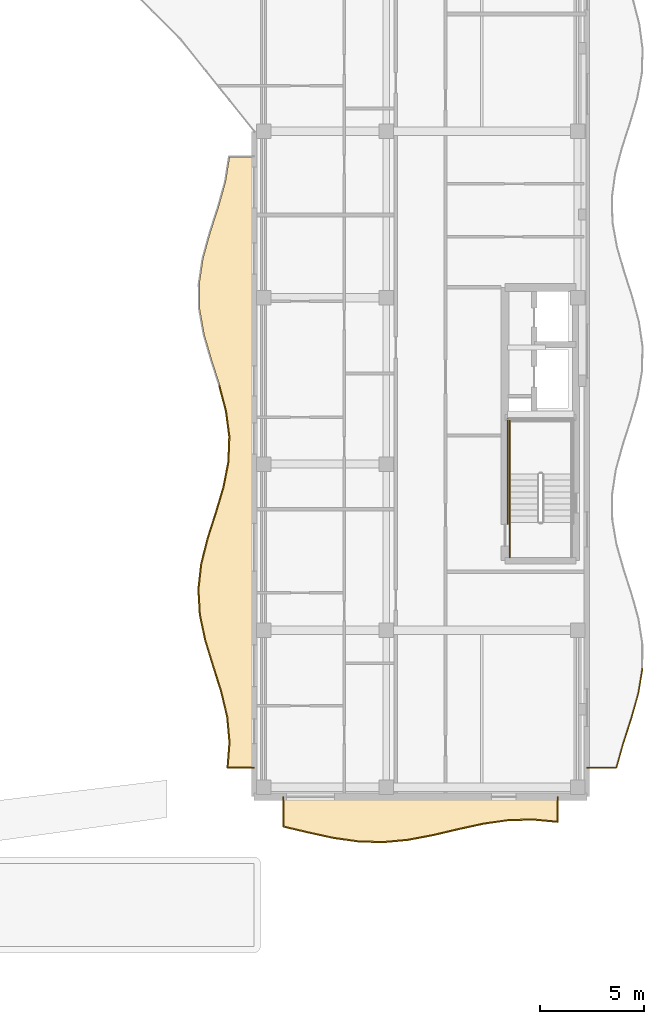
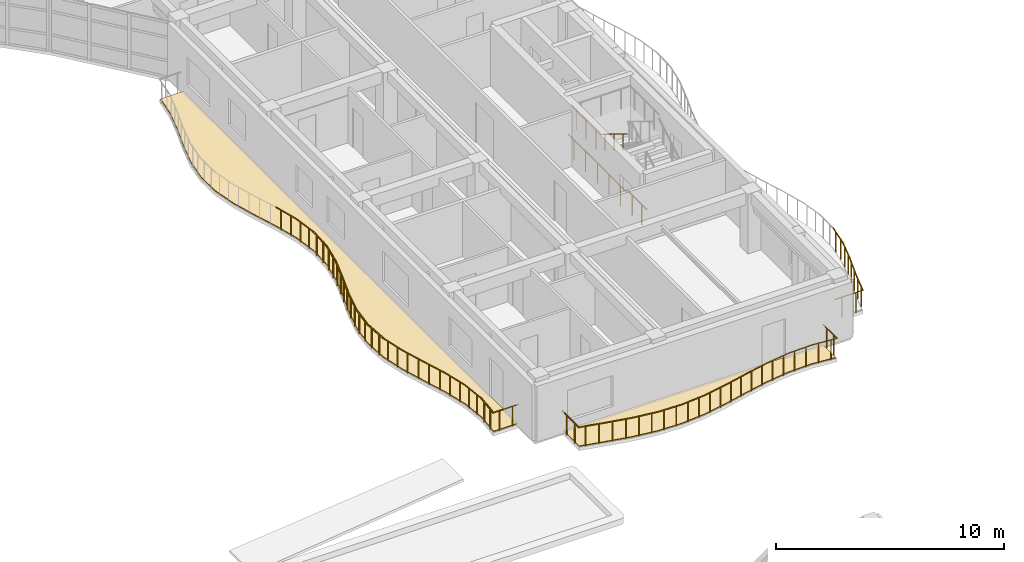
# One storey, part 123 of 128: 38 railings, 2 coverings.
"""IFC4 building model written with IfcOpenShell, lengths in metres."""

from ifc_helpers import new_model, si_unit, direction, frame, origin, origin_2d, place, context, subcontext, project, spatial, polyline, circle, outline, extrude, material, layer, layer_set, type_object, element, save


model = new_model("IFC4")

# Units and contexts
model_context = context("Model", 3, precision=1e-05, world=origin(), true_north=direction((0.0, 1.0)))
body_context = subcontext(model_context, "Body", "Model", "MODEL_VIEW")
ifc_project = project(units=[si_unit("LENGTHUNIT", "METRE"), si_unit("AREAUNIT", "SQUARE_METRE"), si_unit("VOLUMEUNIT", "CUBIC_METRE"), si_unit("PLANEANGLEUNIT", "RADIAN"), si_unit("MASSUNIT", "GRAM", prefix="KILO")], contexts=[model_context])

# Site, building, storey
site_placement = place(None, origin())
site = spatial("IfcSite", under=ifc_project, at=site_placement, CompositionType="ELEMENT")
building_placement = place(site_placement, origin())
building = spatial("IfcBuilding", under=site, at=building_placement, Name="Keldmere Railside Commons", CompositionType="ELEMENT")
storey_placement = place(building_placement, frame((0.0, 0.0, 4.159912109375)))
storey = spatial("IfcBuildingStorey", under=building, at=storey_placement, Name="L01", CompositionType="ELEMENT", Elevation=4.159912109375)

# Railings
ifc_material_1 = material(Name="Steel F-24 (S235)", Category="steel")
railing_type_1 = type_object("IfcRailingType", Name="Balcony & Terrace Steel Balustrade 1100", PredefinedType="BALUSTRADE", material=ifc_material_1)
railing_1_placement = place(storey_placement, frame((168.0, 57.39990234375, 0.0)))
element("IfcRailing", 1, at=railing_1_placement, inside=storey, type_object=railing_type_1, Name="GR-1 GRD-L01-3187", PredefinedType="BALUSTRADE", context=body_context, shape_type="SweptSolid", body=[
    extrude(circle(Radius=0.02392578125, at=origin_2d()), frame((0.0, 0.0, 1.076171875), z_axis=(-1.0, 0.0, 0.0), x_axis=(0.0, -1.0, 0.0)), (0.0, 0.0, 1.0), 1.29638671875),
    extrude(circle(Radius=0.02099609375, at=origin_2d()), frame((-0.32421875, 0.0, 0.0)), (0.0, 0.0, 1.0), 1.048095703125),
    extrude(circle(Radius=0.02099609375, at=origin_2d()), frame((-0.97216796875, 0.0, 0.0)), (0.0, 0.0, 1.0), 1.048095703125),
])
railing_2_placement = place(storey_placement, frame((166.70361328125, 57.39990234375, 0.0)))
element("IfcRailing", 2, at=railing_2_placement, inside=storey, type_object=railing_type_1, Name="GR-1 GRD-L01-3188", PredefinedType="BALUSTRADE", context=body_context, shape_type="SweptSolid", body=[
    extrude(circle(Radius=0.02392578125, at=origin_2d()), frame((0.0, 0.0, 1.076171875), z_axis=(0.078276422335, 0.996931693601, 0.0), x_axis=(-0.996931693601, 0.078276422335, 0.0)), (0.0, 0.0, 1.0), 1.228759765625),
    extrude(circle(Radius=0.02099609375, at=origin_2d()), frame((0.02392578125, 0.30615234375, 0.0)), (0.0, 0.0, 1.0), 1.048095703125),
    extrude(circle(Radius=0.02099609375, at=origin_2d()), frame((0.072265625, 0.9189453125, 0.0)), (0.0, 0.0, 1.0), 1.048095703125),
])
railing_3_placement = place(storey_placement, frame((166.7998046875, 58.625, 0.0)))
element("IfcRailing", 3, at=railing_3_placement, inside=storey, type_object=railing_type_1, Name="GR-1 GRD-L01-3189", PredefinedType="BALUSTRADE", context=body_context, shape_type="SweptSolid", body=[
    extrude(circle(Radius=0.02392578125, at=origin_2d()), frame((0.0, 0.0, 1.076171875), z_axis=(-0.091877571522, 0.99577031079, 0.0), x_axis=(-0.99577031079, -0.091877571522, 0.0)), (0.0, 0.0, 1.0), 1.230224609375),
    extrude(circle(Radius=0.02099609375, at=origin_2d()), frame((-0.0283203125, 0.30615234375, 0.0)), (0.0, 0.0, 1.0), 1.048095703125),
    extrude(circle(Radius=0.02099609375, at=origin_2d()), frame((-0.084716796875, 0.9189453125, 0.0)), (0.0, 0.0, 1.0), 1.048095703125),
])
railing_4_placement = place(storey_placement, frame((166.686767578125, 59.85009765625, 0.0)))
element("IfcRailing", 4, at=railing_4_placement, inside=storey, type_object=railing_type_1, Name="GR-1 GRD-L01-3190", PredefinedType="BALUSTRADE", context=body_context, shape_type="SweptSolid", body=[
    extrude(circle(Radius=0.02392578125, at=origin_2d()), frame((0.0, 0.0, 1.076171875), z_axis=(-0.230973756596, 0.972959980556, 0.0), x_axis=(-0.972959980556, -0.230973756596, 0.0)), (0.0, 0.0, 1.0), 1.2587890625),
    extrude(circle(Radius=0.02099609375, at=origin_2d()), frame((-0.07275390625, 0.30615234375, 0.0)), (0.0, 0.0, 1.0), 1.048095703125),
    extrude(circle(Radius=0.02099609375, at=origin_2d()), frame((-0.218017578125, 0.918701171875, 0.0)), (0.0, 0.0, 1.0), 1.048095703125),
])
railing_5_placement = place(storey_placement, frame((166.39599609375, 61.074951171875, 0.0)))
element("IfcRailing", 5, at=railing_5_placement, inside=storey, type_object=railing_type_1, Name="GR-1 GRD-L01-3191", PredefinedType="BALUSTRADE", context=body_context, shape_type="SweptSolid", body=[
    extrude(circle(Radius=0.02392578125, at=origin_2d()), frame((0.0, 0.0, 1.076171875), z_axis=(-0.301367803668, 0.953507968982, 0.0), x_axis=(-0.953507968982, -0.301367803668, 0.0)), (0.0, 0.0, 1.0), 1.284912109375),
    extrude(circle(Radius=0.02099609375, at=origin_2d()), frame((-0.0966796875, 0.30615234375, 0.0)), (0.0, 0.0, 1.0), 1.048095703125),
    extrude(circle(Radius=0.02099609375, at=origin_2d()), frame((-0.29052734375, 0.9189453125, 0.0)), (0.0, 0.0, 1.0), 1.048095703125),
])
railing_6_placement = place(storey_placement, frame((166.0087890625, 62.300048828125, 0.0)))
element("IfcRailing", 6, at=railing_6_placement, inside=storey, type_object=railing_type_1, Name="GR-1 GRD-L01-3192", PredefinedType="BALUSTRADE", context=body_context, shape_type="SweptSolid", body=[
    extrude(circle(Radius=0.02392578125, at=origin_2d()), frame((0.0, 0.0, 1.076171875), z_axis=(-0.293268916719, 0.95602999037, 0.0), x_axis=(-0.95602999037, -0.293268916719, 0.0)), (0.0, 0.0, 1.0), 1.28125),
    extrude(circle(Radius=0.02099609375, at=origin_2d()), frame((-0.093994140625, 0.30615234375, 0.0)), (0.0, 0.0, 1.0), 1.048095703125),
    extrude(circle(Radius=0.02099609375, at=origin_2d()), frame((-0.28173828125, 0.918701171875, 0.0)), (0.0, 0.0, 1.0), 1.048095703125),
])
railing_7_placement = place(storey_placement, frame((165.633056640625, 63.52490234375, 0.0)))
element("IfcRailing", 7, at=railing_7_placement, inside=storey, type_object=railing_type_1, Name="GR-1 GRD-L01-3193", PredefinedType="BALUSTRADE", context=body_context, shape_type="SweptSolid", body=[
    extrude(circle(Radius=0.02392578125, at=origin_2d()), frame((0.0, 0.0, 1.076171875), z_axis=(-0.207051896826, 0.978329960709, 0.0), x_axis=(-0.978329960709, -0.207051896826, 0.0)), (0.0, 0.0, 1.0), 1.252197265625),
    extrude(circle(Radius=0.02099609375, at=origin_2d()), frame((-0.06494140625, 0.30615234375, 0.0)), (0.0, 0.0, 1.0), 1.048095703125),
    extrude(circle(Radius=0.02099609375, at=origin_2d()), frame((-0.1943359375, 0.9189453125, 0.0)), (0.0, 0.0, 1.0), 1.048095703125),
])
railing_8_placement = place(storey_placement, frame((165.373779296875, 64.75, 0.0)))
element("IfcRailing", 8, at=railing_8_placement, inside=storey, type_object=railing_type_1, Name="GR-1 GRD-L01-3194", PredefinedType="BALUSTRADE", context=body_context, shape_type="SweptSolid", body=[
    extrude(circle(Radius=0.02392578125, at=origin_2d()), frame((0.0, 0.0, 1.076171875), z_axis=(-0.057695680128, 0.998334216831, 0.0), x_axis=(-0.998334216831, -0.057695680128, 0.0)), (0.0, 0.0, 1.0), 1.22705078125),
    extrude(circle(Radius=0.02099609375, at=origin_2d()), frame((-0.017578125, 0.30615234375, 0.0)), (0.0, 0.0, 1.0), 1.048095703125),
    extrude(circle(Radius=0.02099609375, at=origin_2d()), frame((-0.05322265625, 0.9189453125, 0.0)), (0.0, 0.0, 1.0), 1.048095703125),
])
railing_9_placement = place(storey_placement, frame((165.302978515625, 65.97509765625, 0.0)))
element("IfcRailing", 9, at=railing_9_placement, inside=storey, type_object=railing_type_1, Name="GR-1 GRD-L01-3195", PredefinedType="BALUSTRADE", context=body_context, shape_type="SweptSolid", body=[
    extrude(circle(Radius=0.02392578125, at=origin_2d()), frame((0.0, 0.0, 1.076171875), z_axis=(0.111518478947, 0.993762360352, 0.0), x_axis=(-0.993762360352, 0.111518478947, 0.0)), (0.0, 0.0, 1.0), 1.232421875),
    extrude(circle(Radius=0.02099609375, at=origin_2d()), frame((0.034423828125, 0.30615234375, 0.0)), (0.0, 0.0, 1.0), 1.048095703125),
    extrude(circle(Radius=0.02099609375, at=origin_2d()), frame((0.10302734375, 0.918701171875, 0.0)), (0.0, 0.0, 1.0), 1.048095703125),
])
railing_10_placement = place(storey_placement, frame((165.4404296875, 67.199951171875, 0.0)))
element("IfcRailing", 10, at=railing_10_placement, inside=storey, type_object=railing_type_1, Name="GR-1 GRD-L01-3196", PredefinedType="BALUSTRADE", context=body_context, shape_type="SweptSolid", body=[
    extrude(circle(Radius=0.02392578125, at=origin_2d()), frame((0.0, 0.0, 1.076171875), z_axis=(0.243536017509, 0.969891853856, 0.0), x_axis=(-0.969891853856, 0.243536017509, 0.0)), (0.0, 0.0, 1.0), 1.26318359375),
    extrude(circle(Radius=0.02099609375, at=origin_2d()), frame((0.076904296875, 0.30615234375, 0.0)), (0.0, 0.0, 1.0), 1.048095703125),
    extrude(circle(Radius=0.02099609375, at=origin_2d()), frame((0.230712890625, 0.9189453125, 0.0)), (0.0, 0.0, 1.0), 1.048095703125),
])
railing_11_placement = place(storey_placement, frame((165.748046875, 68.425048828125, 0.0)))
element("IfcRailing", 11, at=railing_11_placement, inside=storey, type_object=railing_type_1, Name="GR-1 GRD-L01-3197", PredefinedType="BALUSTRADE", context=body_context, shape_type="SweptSolid", body=[
    extrude(circle(Radius=0.02392578125, at=origin_2d()), frame((0.0, 0.0, 1.076171875), z_axis=(0.304699953778, 0.952448391341, 0.0), x_axis=(-0.952448391341, 0.304699953778, 0.0)), (0.0, 0.0, 1.0), 1.285888671875),
    extrude(circle(Radius=0.02099609375, at=origin_2d()), frame((0.097900390625, 0.30615234375, 0.0)), (0.0, 0.0, 1.0), 1.048095703125),
    extrude(circle(Radius=0.02099609375, at=origin_2d()), frame((0.2939453125, 0.918701171875, 0.0)), (0.0, 0.0, 1.0), 1.048095703125),
])
railing_12_placement = place(storey_placement, frame((166.139892578125, 69.64990234375, 0.0)))
element("IfcRailing", 12, at=railing_12_placement, inside=storey, type_object=railing_type_1, Name="GR-1 GRD-L01-3198", PredefinedType="BALUSTRADE", context=body_context, shape_type="SweptSolid", body=[
    extrude(circle(Radius=0.02392578125, at=origin_2d()), frame((0.0, 0.0, 1.076171875), z_axis=(0.28692752056, 0.957952294191, 0.0), x_axis=(-0.957952294191, 0.28692752056, 0.0)), (0.0, 0.0, 1.0), 1.27880859375),
    extrude(circle(Radius=0.02099609375, at=origin_2d()), frame((0.091796875, 0.30615234375, 0.0)), (0.0, 0.0, 1.0), 1.048095703125),
    extrude(circle(Radius=0.02099609375, at=origin_2d()), frame((0.275146484375, 0.9189453125, 0.0)), (0.0, 0.0, 1.0), 1.048095703125),
])
railing_13_placement = place(storey_placement, frame((166.5068359375, 70.875, 0.0)))
element("IfcRailing", 13, at=railing_13_placement, inside=storey, type_object=railing_type_1, Name="GR-1 GRD-L01-3199", PredefinedType="BALUSTRADE", context=body_context, shape_type="SweptSolid", body=[
    extrude(circle(Radius=0.02392578125, at=origin_2d()), frame((0.0, 0.0, 1.076171875), z_axis=(0.191675793499, 0.981458297732, 0.0), x_axis=(-0.981458297732, 0.191675793499, 0.0)), (0.0, 0.0, 1.0), 1.248291015625),
    extrude(circle(Radius=0.02099609375, at=origin_2d()), frame((0.059814453125, 0.30615234375, 0.0)), (0.0, 0.0, 1.0), 1.048095703125),
    extrude(circle(Radius=0.02099609375, at=origin_2d()), frame((0.179443359375, 0.9189453125, 0.0)), (0.0, 0.0, 1.0), 1.048095703125),
])
railing_14_placement = place(storey_placement, frame((166.74609375, 72.10009765625, 0.0)))
element("IfcRailing", 14, at=railing_14_placement, inside=storey, type_object=railing_type_1, Name="GR-1 GRD-L01-3200", PredefinedType="BALUSTRADE", context=body_context, shape_type="SweptSolid", body=[
    extrude(circle(Radius=0.02392578125, at=origin_2d()), frame((0.0, 0.0, 1.076171875), z_axis=(0.036849581892, 0.999320823517, 0.0), x_axis=(-0.999320823517, 0.036849581892, 0.0)), (0.0, 0.0, 1.0), 1.2255859375),
    extrude(circle(Radius=0.02099609375, at=origin_2d()), frame((0.01123046875, 0.30615234375, 0.0)), (0.0, 0.0, 1.0), 1.048095703125),
    extrude(circle(Radius=0.02099609375, at=origin_2d()), frame((0.033935546875, 0.918701171875, 0.0)), (0.0, 0.0, 1.0), 1.048095703125),
])
railing_15_placement = place(storey_placement, frame((166.791259765625, 73.324951171875, 0.0)))
element("IfcRailing", 15, at=railing_15_placement, inside=storey, type_object=railing_type_1, Name="GR-1 GRD-L01-3201", PredefinedType="BALUSTRADE", context=body_context, shape_type="SweptSolid", body=[
    extrude(circle(Radius=0.02392578125, at=origin_2d()), frame((0.0, 0.0, 1.076171875), z_axis=(-0.130791814318, 0.991409855361, 0.0), x_axis=(-0.991409855361, -0.130791814318, 0.0)), (0.0, 0.0, 1.0), 1.235595703125),
    extrude(circle(Radius=0.02099609375, at=origin_2d()), frame((-0.04052734375, 0.30615234375, 0.0)), (0.0, 0.0, 1.0), 1.048095703125),
    extrude(circle(Radius=0.02099609375, at=origin_2d()), frame((-0.12109375, 0.9189453125, 0.0)), (0.0, 0.0, 1.0), 1.048095703125),
])
railing_16_placement = place(storey_placement, frame((166.629638671875, 74.550048828125, 0.0)))
element("IfcRailing", 16, at=railing_16_placement, inside=storey, type_object=railing_type_1, Name="GR-1 GRD-L01-3202", PredefinedType="BALUSTRADE", context=body_context, shape_type="SweptSolid", body=[
    extrude(circle(Radius=0.02392578125, at=origin_2d()), frame((0.0, 0.0, 1.076171875), z_axis=(-0.255166773508, 0.966897056412, 0.0), x_axis=(-0.966897056412, -0.255166773508, 0.0)), (0.0, 0.0, 1.0), 1.266845703125),
    extrude(circle(Radius=0.02099609375, at=origin_2d()), frame((-0.080810546875, 0.30615234375, 0.0)), (0.0, 0.0, 1.0), 1.048095703125),
    extrude(circle(Radius=0.02099609375, at=origin_2d()), frame((-0.242431640625, 0.918701171875, 0.0)), (0.0, 0.0, 1.0), 1.048095703125),
])
railing_17_placement = place(storey_placement, frame((184.0, 57.39990234375, 0.0)))
element("IfcRailing", 17, at=railing_17_placement, inside=storey, type_object=railing_type_1, Name="GR-1 GRD-L01-3213", PredefinedType="BALUSTRADE", context=body_context, shape_type="SweptSolid", body=[
    extrude(circle(Radius=0.02392578125, at=origin_2d()), frame((0.0, 0.0, 1.076171875), z_axis=(1.0, 0.0, 0.0), x_axis=(0.0, 1.0, 0.0)), (0.0, 0.0, 1.0), 1.4208984375),
    extrude(circle(Radius=0.02099609375, at=origin_2d()), frame((0.355224609375, 0.0, 0.0)), (0.0, 0.0, 1.0), 1.048095703125),
    extrude(circle(Radius=0.02099609375, at=origin_2d()), frame((1.065673828125, 0.0, 0.0)), (0.0, 0.0, 1.0), 1.048095703125),
])
railing_18_placement = place(storey_placement, frame((185.4208984375, 57.39990234375, 0.0)))
element("IfcRailing", 18, at=railing_18_placement, inside=storey, type_object=railing_type_1, Name="GR-1 GRD-L01-3214", PredefinedType="BALUSTRADE", context=body_context, shape_type="SweptSolid", body=[
    extrude(circle(Radius=0.02392578125, at=origin_2d()), frame((0.0, 0.0, 1.076171875), z_axis=(0.269820133926, 0.962910741101, 0.0), x_axis=(-0.962910741101, 0.269820133926, 0.0)), (0.0, 0.0, 1.0), 1.23779296875),
    extrude(circle(Radius=0.02099609375, at=origin_2d()), frame((0.08349609375, 0.2978515625, 0.0)), (0.0, 0.0, 1.0), 1.048095703125),
    extrude(circle(Radius=0.02099609375, at=origin_2d()), frame((0.25048828125, 0.89404296875, 0.0)), (0.0, 0.0, 1.0), 1.048095703125),
])
railing_19_placement = place(storey_placement, frame((185.7548828125, 58.591796875, 0.0)))
element("IfcRailing", 19, at=railing_19_placement, inside=storey, type_object=railing_type_1, Name="GR-1 GRD-L01-3215", PredefinedType="BALUSTRADE", context=body_context, shape_type="SweptSolid", body=[
    extrude(circle(Radius=0.02392578125, at=origin_2d()), frame((0.0, 0.0, 1.076171875), z_axis=(0.307851430966, 0.95143444149, 0.0), x_axis=(-0.95143444149, 0.307851430966, 0.0)), (0.0, 0.0, 1.0), 1.252197265625),
    extrude(circle(Radius=0.02099609375, at=origin_2d()), frame((0.096435546875, 0.2978515625, 0.0)), (0.0, 0.0, 1.0), 1.048095703125),
    extrude(circle(Radius=0.02099609375, at=origin_2d()), frame((0.2890625, 0.8935546875, 0.0)), (0.0, 0.0, 1.0), 1.048095703125),
])
railing_20_placement = place(storey_placement, frame((186.140380859375, 59.783203125, 0.0)))
element("IfcRailing", 20, at=railing_20_placement, inside=storey, type_object=railing_type_1, Name="GR-1 GRD-L01-3216", PredefinedType="BALUSTRADE", context=body_context, shape_type="SweptSolid", body=[
    extrude(circle(Radius=0.02392578125, at=origin_2d()), frame((0.0, 0.0, 1.076171875), z_axis=(0.270734156265, 0.962654152139, 0.0), x_axis=(-0.962654152139, 0.270734156265, 0.0)), (0.0, 0.0, 1.0), 1.238037109375),
    extrude(circle(Radius=0.02099609375, at=origin_2d()), frame((0.083740234375, 0.2978515625, 0.0)), (0.0, 0.0, 1.0), 1.048095703125),
    extrude(circle(Radius=0.02099609375, at=origin_2d()), frame((0.25146484375, 0.89404296875, 0.0)), (0.0, 0.0, 1.0), 1.048095703125),
])
railing_21_placement = place(storey_placement, frame((186.4755859375, 60.97509765625, 0.0)))
element("IfcRailing", 21, at=railing_21_placement, inside=storey, type_object=railing_type_1, Name="GR-1 GRD-L01-3217", PredefinedType="BALUSTRADE", context=body_context, shape_type="SweptSolid", body=[
    extrude(circle(Radius=0.02392578125, at=origin_2d()), frame((0.0, 0.0, 1.076171875), z_axis=(0.162726955037, 0.986671139795, 0.0), x_axis=(-0.986671139795, 0.162726955037, 0.0)), (0.0, 0.0, 1.0), 1.207763671875),
    extrude(circle(Radius=0.02099609375, at=origin_2d()), frame((0.049072265625, 0.2978515625, 0.0)), (0.0, 0.0, 1.0), 1.048095703125),
    extrude(circle(Radius=0.02099609375, at=origin_2d()), frame((0.1474609375, 0.893798828125, 0.0)), (0.0, 0.0, 1.0), 1.048095703125),
])
railing_22_placement = place(storey_placement, frame((169.39990234375, 56.0, 0.0)))
element("IfcRailing", 22, at=railing_22_placement, inside=storey, type_object=railing_type_1, Name="GR-1 GRD-L01-3276", PredefinedType="BALUSTRADE", context=body_context, shape_type="SweptSolid", body=[
    extrude(circle(Radius=0.02392578125, at=origin_2d()), frame((0.0, 0.0, 1.076171875), z_axis=(0.0, -1.0, 0.0), x_axis=(1.0, 0.0, 0.0)), (0.0, 0.0, 1.0), 1.4443359375),
    extrude(circle(Radius=0.02099609375, at=origin_2d()), frame((0.0, -0.361083984375, 0.0)), (0.0, 0.0, 1.0), 1.048095703125),
    extrude(circle(Radius=0.02099609375, at=origin_2d()), frame((0.0, -1.083251953125, 0.0)), (0.0, 0.0, 1.0), 1.048095703125),
])
railing_23_placement = place(storey_placement, frame((169.39990234375, 54.5556640625, 0.0)))
element("IfcRailing", 23, at=railing_23_placement, inside=storey, type_object=railing_type_1, Name="GR-1 GRD-L01-3277", PredefinedType="BALUSTRADE", context=body_context, shape_type="SweptSolid", body=[
    extrude(circle(Radius=0.02392578125, at=origin_2d()), frame((0.0, 0.0, 1.076171875), z_axis=(0.973360010655, -0.229282118051, 0.0), x_axis=(0.229282118051, 0.973360010655, 0.0)), (0.0, 0.0, 1.0), 1.233154296875),
    extrude(circle(Radius=0.02099609375, at=origin_2d()), frame((0.300048828125, -0.07080078125, 0.0)), (0.0, 0.0, 1.0), 1.048095703125),
    extrude(circle(Radius=0.02099609375, at=origin_2d()), frame((0.900146484375, -0.2119140625, 0.0)), (0.0, 0.0, 1.0), 1.048095703125),
])
railing_24_placement = place(storey_placement, frame((170.60009765625, 54.27294921875, 0.0)))
element("IfcRailing", 24, at=railing_24_placement, inside=storey, type_object=railing_type_1, Name="GR-1 GRD-L01-3278", PredefinedType="BALUSTRADE", context=body_context, shape_type="SweptSolid", body=[
    extrude(circle(Radius=0.02392578125, at=origin_2d()), frame((0.0, 0.0, 1.076171875), z_axis=(0.976989409241, -0.213287820166, 0.0), x_axis=(0.213287820166, 0.976989409241, 0.0)), (0.0, 0.0, 1.0), 1.228271484375),
    extrude(circle(Radius=0.02099609375, at=origin_2d()), frame((0.300048828125, -0.0654296875, 0.0)), (0.0, 0.0, 1.0), 1.048095703125),
    extrude(circle(Radius=0.02099609375, at=origin_2d()), frame((0.89990234375, -0.196533203125, 0.0)), (0.0, 0.0, 1.0), 1.048095703125),
])
railing_25_placement = place(storey_placement, frame((171.800048828125, 54.010986328125, 0.0)))
element("IfcRailing", 25, at=railing_25_placement, inside=storey, type_object=railing_type_1, Name="GR-1 GRD-L01-3279", PredefinedType="BALUSTRADE", context=body_context, shape_type="SweptSolid", body=[
    extrude(circle(Radius=0.02392578125, at=origin_2d()), frame((0.0, 0.0, 1.076171875), z_axis=(0.989981695235, -0.14119576162, 0.0), x_axis=(0.14119576162, 0.989981695235, 0.0)), (0.0, 0.0, 1.0), 1.212158203125),
    extrude(circle(Radius=0.02099609375, at=origin_2d()), frame((0.300048828125, -0.042724609375, 0.0)), (0.0, 0.0, 1.0), 1.048095703125),
    extrude(circle(Radius=0.02099609375, at=origin_2d()), frame((0.89990234375, -0.12841796875, 0.0)), (0.0, 0.0, 1.0), 1.048095703125),
])
railing_26_placement = place(storey_placement, frame((173.0, 53.83984375, 0.0)))
element("IfcRailing", 26, at=railing_26_placement, inside=storey, type_object=railing_type_1, Name="GR-1 GRD-L01-3280", PredefinedType="BALUSTRADE", context=body_context, shape_type="SweptSolid", body=[
    extrude(circle(Radius=0.02392578125, at=origin_2d()), frame((0.0, 0.0, 1.076171875), z_axis=(0.999588762014, -0.028675893274, 0.0), x_axis=(0.028675893274, 0.999588762014, 0.0)), (0.0, 0.0, 1.0), 1.200439453125),
    extrude(circle(Radius=0.02099609375, at=origin_2d()), frame((0.300048828125, -0.008544921875, 0.0)), (0.0, 0.0, 1.0), 1.048095703125),
    extrude(circle(Radius=0.02099609375, at=origin_2d()), frame((0.89990234375, -0.02587890625, 0.0)), (0.0, 0.0, 1.0), 1.048095703125),
])
railing_27_placement = place(storey_placement, frame((174.199951171875, 53.805419921875, 0.0)))
element("IfcRailing", 27, at=railing_27_placement, inside=storey, type_object=railing_type_1, Name="GR-1 GRD-L01-3281", PredefinedType="BALUSTRADE", context=body_context, shape_type="SweptSolid", body=[
    extrude(circle(Radius=0.02392578125, at=origin_2d()), frame((0.0, 0.0, 1.076171875), z_axis=(0.995705125592, 0.092581331108, 0.0), x_axis=(-0.092581331108, 0.995705125592, 0.0)), (0.0, 0.0, 1.0), 1.205078125),
    extrude(circle(Radius=0.02099609375, at=origin_2d()), frame((0.300048828125, 0.02783203125, 0.0)), (0.0, 0.0, 1.0), 1.048095703125),
    extrude(circle(Radius=0.02099609375, at=origin_2d()), frame((0.89990234375, 0.083740234375, 0.0)), (0.0, 0.0, 1.0), 1.048095703125),
])
railing_28_placement = place(storey_placement, frame((175.39990234375, 53.9169921875, 0.0)))
element("IfcRailing", 28, at=railing_28_placement, inside=storey, type_object=railing_type_1, Name="GR-1 GRD-L01-3282", PredefinedType="BALUSTRADE", context=body_context, shape_type="SweptSolid", body=[
    extrude(circle(Radius=0.02392578125, at=origin_2d()), frame((0.0, 0.0, 1.076171875), z_axis=(0.982535696379, 0.18607419311, 0.0), x_axis=(-0.18607419311, 0.982535696379, 0.0)), (0.0, 0.0, 1.0), 1.221435546875),
    extrude(circle(Radius=0.02099609375, at=origin_2d()), frame((0.300048828125, 0.056884765625, 0.0)), (0.0, 0.0, 1.0), 1.048095703125),
    extrude(circle(Radius=0.02099609375, at=origin_2d()), frame((0.900146484375, 0.17041015625, 0.0)), (0.0, 0.0, 1.0), 1.048095703125),
])
railing_29_placement = place(storey_placement, frame((176.60009765625, 54.144287109375, 0.0)))
element("IfcRailing", 29, at=railing_29_placement, inside=storey, type_object=railing_type_1, Name="GR-1 GRD-L01-3283", PredefinedType="BALUSTRADE", context=body_context, shape_type="SweptSolid", body=[
    extrude(circle(Radius=0.02392578125, at=origin_2d()), frame((0.0, 0.0, 1.076171875), z_axis=(0.973349598813, 0.22932631443, 0.0), x_axis=(-0.22932631443, 0.973349598813, 0.0)), (0.0, 0.0, 1.0), 1.23291015625),
    extrude(circle(Radius=0.02099609375, at=origin_2d()), frame((0.300048828125, 0.07080078125, 0.0)), (0.0, 0.0, 1.0), 1.048095703125),
    extrude(circle(Radius=0.02099609375, at=origin_2d()), frame((0.89990234375, 0.2119140625, 0.0)), (0.0, 0.0, 1.0), 1.048095703125),
])
railing_30_placement = place(storey_placement, frame((177.800048828125, 54.427001953125, 0.0)))
element("IfcRailing", 30, at=railing_30_placement, inside=storey, type_object=railing_type_1, Name="GR-1 GRD-L01-3284", PredefinedType="BALUSTRADE", context=body_context, shape_type="SweptSolid", body=[
    extrude(circle(Radius=0.02392578125, at=origin_2d()), frame((0.0, 0.0, 1.076171875), z_axis=(0.976989409241, 0.213287820166, 0.0), x_axis=(-0.213287820166, 0.976989409241, 0.0)), (0.0, 0.0, 1.0), 1.228271484375),
    extrude(circle(Radius=0.02099609375, at=origin_2d()), frame((0.300048828125, 0.0654296875, 0.0)), (0.0, 0.0, 1.0), 1.048095703125),
    extrude(circle(Radius=0.02099609375, at=origin_2d()), frame((0.89990234375, 0.196533203125, 0.0)), (0.0, 0.0, 1.0), 1.048095703125),
])
railing_31_placement = place(storey_placement, frame((179.0, 54.68896484375, 0.0)))
element("IfcRailing", 31, at=railing_31_placement, inside=storey, type_object=railing_type_1, Name="GR-1 GRD-L01-3285", PredefinedType="BALUSTRADE", context=body_context, shape_type="SweptSolid", body=[
    extrude(circle(Radius=0.02392578125, at=origin_2d()), frame((0.0, 0.0, 1.076171875), z_axis=(0.989981695235, 0.14119576162, 0.0), x_axis=(-0.14119576162, 0.989981695235, 0.0)), (0.0, 0.0, 1.0), 1.212158203125),
    extrude(circle(Radius=0.02099609375, at=origin_2d()), frame((0.300048828125, 0.042724609375, 0.0)), (0.0, 0.0, 1.0), 1.048095703125),
    extrude(circle(Radius=0.02099609375, at=origin_2d()), frame((0.89990234375, 0.12841796875, 0.0)), (0.0, 0.0, 1.0), 1.048095703125),
])
railing_32_placement = place(storey_placement, frame((180.199951171875, 54.860107421875, 0.0)))
element("IfcRailing", 32, at=railing_32_placement, inside=storey, type_object=railing_type_1, Name="GR-1 GRD-L01-3286", PredefinedType="BALUSTRADE", context=body_context, shape_type="SweptSolid", body=[
    extrude(circle(Radius=0.02392578125, at=origin_2d()), frame((0.0, 0.0, 1.076171875), z_axis=(0.999588762014, 0.028675893274, 0.0), x_axis=(-0.028675893274, 0.999588762014, 0.0)), (0.0, 0.0, 1.0), 1.200439453125),
    extrude(circle(Radius=0.02099609375, at=origin_2d()), frame((0.300048828125, 0.008544921875, 0.0)), (0.0, 0.0, 1.0), 1.048095703125),
    extrude(circle(Radius=0.02099609375, at=origin_2d()), frame((0.89990234375, 0.02587890625, 0.0)), (0.0, 0.0, 1.0), 1.048095703125),
])
railing_33_placement = place(storey_placement, frame((181.39990234375, 54.89453125, 0.0)))
element("IfcRailing", 33, at=railing_33_placement, inside=storey, type_object=railing_type_1, Name="GR-1 GRD-L01-3287", PredefinedType="BALUSTRADE", context=body_context, shape_type="SweptSolid", body=[
    extrude(circle(Radius=0.02392578125, at=origin_2d()), frame((0.0, 0.0, 1.076171875), z_axis=(0.995725509118, -0.092361845435, 0.0), x_axis=(0.092361845435, 0.995725509118, 0.0)), (0.0, 0.0, 1.0), 1.205322265625),
    extrude(circle(Radius=0.02099609375, at=origin_2d()), frame((0.300048828125, -0.02783203125, 0.0)), (0.0, 0.0, 1.0), 1.048095703125),
    extrude(circle(Radius=0.02099609375, at=origin_2d()), frame((0.900146484375, -0.08349609375, 0.0)), (0.0, 0.0, 1.0), 1.048095703125),
])
railing_34_placement = place(storey_placement, frame((182.60009765625, 54.783203125, 0.0)))
element("IfcRailing", 34, at=railing_34_placement, inside=storey, type_object=railing_type_1, Name="GR-1 GRD-L01-3288", PredefinedType="BALUSTRADE", context=body_context, shape_type="SweptSolid", body=[
    extrude(circle(Radius=0.02392578125, at=origin_2d()), frame((0.0, 0.0, 1.076171875), z_axis=(0.0, 1.0, 0.0), x_axis=(-1.0, 0.0, 0.0)), (0.0, 0.0, 1.0), 1.216796875),
    extrude(circle(Radius=0.02099609375, at=origin_2d()), frame((0.0, 0.30419921875, 0.0)), (0.0, 0.0, 1.0), 1.048095703125),
    extrude(circle(Radius=0.02099609375, at=origin_2d()), frame((0.0, 0.91259765625, 0.0)), (0.0, 0.0, 1.0), 1.048095703125),
])
railing_type_2 = type_object("IfcRailingType", Name="Stair Well Steel Guardrail 1100", PredefinedType="BALUSTRADE", material=ifc_material_1)
railing_35_placement = place(storey_placement, frame((180.300048828125, 71.52001953125, 1.60009765625)))
element("IfcRailing", 35, at=railing_35_placement, inside=storey, type_object=railing_type_2, Name="L01 ST-A1 stair guard 4", PredefinedType="BALUSTRADE", context=body_context, shape_type="SweptSolid", body=[
    extrude(circle(Radius=0.02392578125, at=origin_2d()), frame((0.0, 0.0, 1.076171875), z_axis=(0.0, 1.0, 0.0), x_axis=(-1.0, 0.0, 0.0)), (0.0, 0.0, 1.0), 2.580078125),
    extrude(circle(Radius=0.02099609375, at=origin_2d()), frame((0.0, 0.429931640625, 0.0)), (0.0, 0.0, 1.0), 1.048095703125),
    extrude(circle(Radius=0.02099609375, at=origin_2d()), frame((0.0, 1.2900390625, 0.0)), (0.0, 0.0, 1.0), 1.048095703125),
    extrude(circle(Radius=0.02099609375, at=origin_2d()), frame((0.0, 2.150146484375, 0.0)), (0.0, 0.0, 1.0), 1.048095703125),
])
railing_36_placement = place(storey_placement, frame((180.300048828125, 67.5, 0.0)))
element("IfcRailing", 36, at=railing_36_placement, inside=storey, type_object=railing_type_2, Name="L01 ST-A1 stair guard 9", PredefinedType="BALUSTRADE", context=body_context, shape_type="SweptSolid", body=[
    extrude(circle(Radius=0.02392578125, at=origin_2d()), frame((0.0, 0.0, 1.076171875), z_axis=(0.0, 1.0, 0.0), x_axis=(-1.0, 0.0, 0.0)), (0.0, 0.0, 1.0), 1.699951171875),
    extrude(circle(Radius=0.02099609375, at=origin_2d()), frame((0.0, 0.425048828125, 0.0)), (0.0, 0.0, 1.0), 1.048095703125),
    extrude(circle(Radius=0.02099609375, at=origin_2d()), frame((0.0, 1.27490234375, 0.0)), (0.0, 0.0, 1.0), 1.048095703125),
])
railing_37_placement = place(storey_placement, frame((180.199951171875, 69.10009765625, 0.0)))
element("IfcRailing", 37, at=railing_37_placement, inside=storey, type_object=railing_type_2, Name="L01 ST-A1 stair guard 11", PredefinedType="BALUSTRADE", context=body_context, shape_type="SweptSolid", body=[
    extrude(circle(Radius=0.02392578125, at=origin_2d()), frame((0.0, 0.0, 1.076171875), z_axis=(0.0, 1.0, 0.0), x_axis=(-1.0, 0.0, 0.0)), (0.0, 0.0, 1.0), 5.099853515625),
    extrude(circle(Radius=0.02099609375, at=origin_2d()), frame((0.0, 0.510009765625, 0.0)), (0.0, 0.0, 1.0), 1.048095703125),
    extrude(circle(Radius=0.02099609375, at=origin_2d()), frame((0.0, 1.530029296875, 0.0)), (0.0, 0.0, 1.0), 1.048095703125),
    extrude(circle(Radius=0.02099609375, at=origin_2d()), frame((0.0, 2.5498046875, 0.0)), (0.0, 0.0, 1.0), 1.048095703125),
    extrude(circle(Radius=0.02099609375, at=origin_2d()), frame((0.0, 3.56982421875, 0.0)), (0.0, 0.0, 1.0), 1.048095703125),
    extrude(circle(Radius=0.02099609375, at=origin_2d()), frame((0.0, 4.58984375, 0.0)), (0.0, 0.0, 1.0), 1.048095703125),
])
railing_type_3 = type_object("IfcRailingType", Name="Wall-Mounted Tubular Steel Handrail 900", PredefinedType="HANDRAIL", material=ifc_material_1)
railing_38_placement = place(storey_placement, frame((180.300048828125, 71.52001953125, 1.77783203125)))
element("IfcRailing", 38, at=railing_38_placement, inside=storey, type_object=railing_type_3, Name="L01 ST-A1 stair handrail 2", PredefinedType="HANDRAIL", context=body_context, shape_type="SweptSolid", body=[
    extrude(circle(Radius=0.02392578125, at=origin_2d()), frame((0.0, 0.0, 0.8759765625), z_axis=(0.0, -0.852538067394, 0.522665135287), x_axis=(1.0, 0.0, 0.0)), (0.0, 0.0, 1.0), 2.721435546875),
    extrude(circle(Radius=0.02099609375, at=origin_2d()), frame((0.0, -0.38671875, 0.237060546875)), (0.0, 0.0, 1.0), 0.847900390625),
    extrude(circle(Radius=0.02099609375, at=origin_2d()), frame((0.0, -1.16015625, 0.711181640625)), (0.0, 0.0, 1.0), 0.847900390625),
    extrude(circle(Radius=0.02099609375, at=origin_2d()), frame((0.0, -1.933349609375, 1.185302734375)), (0.0, 0.0, 1.0), 0.847900390625),
])

# Coverings
ifc_material_2 = material(Name="White Precast Concrete C35/45", Category="concrete")
ifc_layer = layer(ifc_material_2, 0.044921875, Name="White Architectural Balcony Ribbon Cladding 45")
ifc_layer_set = layer_set([ifc_layer], Name="White Precast Concrete C35/45")
covering_type = type_object("IfcCoveringType", Name="White Architectural Balcony Ribbon Cladding 45", PredefinedType="FLOORING", material=ifc_layer_set)
covering_1_placement = place(storey_placement, origin())
element("IfcCovering", 39, at=covering_1_placement, inside=storey, type_object=covering_type, Name="CLG-WB A L01 CW White Balcony Ribbon", PredefinedType="FLOORING", context=body_context, shape_type="SweptSolid", body=[
    extrude(outline(polyline([(167.9599609375, 86.760009765625), (166.810791015625, 86.760009765625), (166.6201171875, 85.568603515625), (166.618896484375, 85.564208984375), (166.27490234375, 84.339111328125), (166.2744140625, 84.337646484375), (165.878662109375, 83.113525390625), (165.5419921875, 81.8916015625), (165.35791015625, 80.67236328125), (165.376953125, 79.453857421875), (165.59423828125, 78.234130859375), (165.94970703125, 77.01171875), (166.344482421875, 75.787353515625), (166.344970703125, 75.78515625), (166.668212890625, 74.560302734375), (166.669189453125, 74.55517578125), (166.830810546875, 73.330078125), (166.831298828125, 73.326904296875), (166.831298828125, 73.323486328125), (166.7861328125, 72.098388671875), (166.785888671875, 72.095458984375), (166.785400390625, 72.09228515625), (166.546142578125, 70.8671875), (166.545166015625, 70.863525390625), (166.17822265625, 69.638427734375), (166.177978515625, 69.6376953125), (165.78662109375, 68.4140625), (165.47998046875, 67.19287109375), (165.343017578125, 65.973876953125), (165.41357421875, 64.75537109375), (165.671875, 63.534912109375), (166.047119140625, 62.31201171875), (166.43408203125, 61.087158203125), (166.43505859375, 61.084228515625), (166.7255859375, 59.859130859375), (166.7265625, 59.853759765625), (166.839599609375, 58.628662109375), (166.83984375, 58.625244140625), (166.839599609375, 58.621826171875), (166.7470703125, 57.43994140625), (167.9599609375, 57.43994140625), (167.9599609375, 86.760009765625)])), origin(), (0.0, 0.0, 1.0), 0.045166015625),
])
covering_2_placement = place(storey_placement, origin())
element("IfcCovering", 40, at=covering_2_placement, inside=storey, type_object=covering_type, Name="CLG-WB A L01 S White Balcony Ribbon", PredefinedType="FLOORING", context=body_context, shape_type="SweptSolid", body=[
    extrude(outline(polyline([(170.60888671875, 54.31201171875), (171.80712890625, 54.05029296875), (173.00341796875, 53.8798828125), (174.19873046875, 53.845458984375), (175.394287109375, 53.95654296875), (176.591796875, 54.18359375), (177.790771484375, 54.4658203125), (177.79150390625, 54.466064453125), (178.991455078125, 54.72802734375), (178.994384765625, 54.728515625), (180.1943359375, 54.899658203125), (180.198974609375, 54.900146484375), (181.39892578125, 54.9345703125), (181.40380859375, 54.934326171875), (182.56005859375, 54.826904296875), (182.56005859375, 55.9599609375), (169.43994140625, 55.9599609375), (169.43994140625, 54.58740234375), (170.60888671875, 54.31201171875)])), origin(), (0.0, 0.0, 1.0), 0.045166015625),
])

save(model, "model.ifc")
